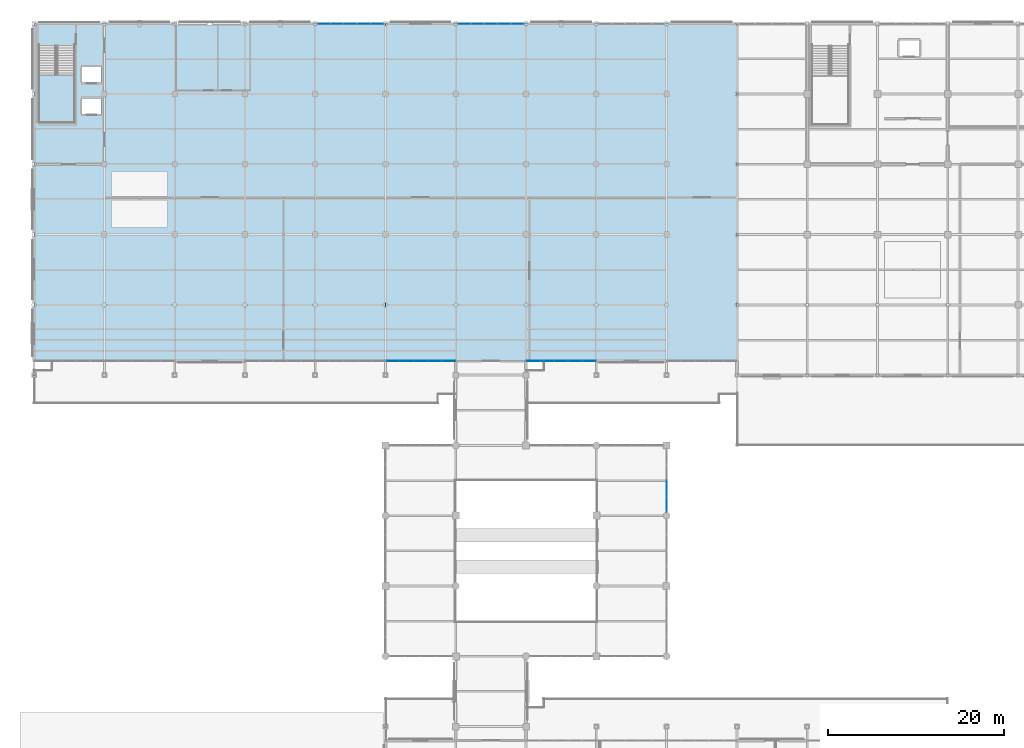
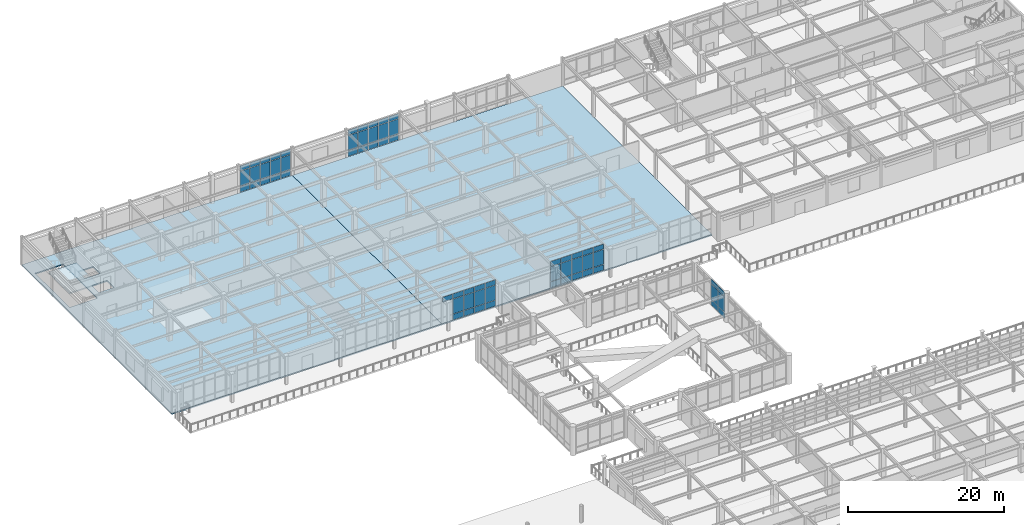
# One storey, part 78 of 111: 64 plates, 3 slabs, 6 elements without a shape of their own.
"""IFC4 building model written with IfcOpenShell, lengths in metres."""

from ifc_helpers import new_model, si_unit, direction, frame, origin, origin_2d, place, context, subcontext, project, spatial, polyline, rectangle, outline, extrude, material, layer, layer_set, type_object, element, aggregate, save


model = new_model("IFC4")

# Units and contexts
model_context = context("Model", 3, precision=1e-05, world=origin(), true_north=direction((0.0, 1.0)))
body_context = subcontext(model_context, "Body", "Model", "MODEL_VIEW")
ifc_project = project(units=[si_unit("LENGTHUNIT", "METRE"), si_unit("AREAUNIT", "SQUARE_METRE"), si_unit("VOLUMEUNIT", "CUBIC_METRE"), si_unit("PLANEANGLEUNIT", "RADIAN"), si_unit("MASSUNIT", "GRAM", prefix="KILO")], contexts=[model_context])

# Site, building, storey
site_placement = place(None, origin())
site = spatial("IfcSite", under=ifc_project, at=site_placement, CompositionType="ELEMENT")
building_placement = place(site_placement, origin())
building = spatial("IfcBuilding", under=site, at=building_placement, Name="Solmirada Galleria", CompositionType="ELEMENT")
storey_placement = place(building_placement, frame((0.0, 0.0, 10.39990234375)))
storey = spatial("IfcBuildingStorey", under=building, at=storey_placement, Name="L02", CompositionType="ELEMENT", Elevation=10.39990234375)

# Curtain wall, plates
ifc_material_1 = material(Name="Impact-resistant low-E double glazing", Category="glass")
curtain_wall_type_1 = type_object("IfcCurtainWallType", Name="CW-FZ3-L02-B4-L072", PredefinedType="NOTDEFINED", material=ifc_material_1)
curtain_wall_1_placement = place(storey_placement, origin())
curtain_wall_1 = element("IfcCurtainWall", 1, at=curtain_wall_1_placement, inside=storey, type_object=curtain_wall_type_1, Name="Terrace and arcade storefront CW-L02-106", PredefinedType="NOTDEFINED")
ifc_layer_1 = layer(ifc_material_1, 0.028076171875)
ifc_layer_set_1 = layer_set([ifc_layer_1], Name="Impact-resistant low-E double glazing")
plate_type_1 = type_object("IfcPlateType", Name="CW-PNL-CW21-T28", PredefinedType="CURTAIN_PANEL", material=ifc_layer_set_1)
plate_1_placement = place(storey_placement, frame((112.0, 67.1005859375, 0.06494140625), z_axis=(0.0, 0.0, 1.0), x_axis=(0.0, -1.0, 0.0)))
plate_1 = element("IfcPlate", 2, at=plate_1_placement, type_object=plate_type_1, Name="CW21 panel 3.1", PredefinedType="CURTAIN_PANEL", context=body_context, shape_type="SweptSolid", body=[
    extrude(rectangle(XDim=1.73388671875, YDim=0.028076171875, at=origin_2d()), origin(), (0.0, 0.0, 1.0), 0.822509765625),
])
plate_2_placement = place(storey_placement, frame((112.0, 67.1005859375, 0.95263671875), z_axis=(0.0, 0.0, 1.0), x_axis=(0.0, -1.0, 0.0)))
plate_2 = element("IfcPlate", 3, at=plate_2_placement, type_object=plate_type_1, Name="CW21 panel 3.2", PredefinedType="CURTAIN_PANEL", context=body_context, shape_type="SweptSolid", body=[
    extrude(rectangle(XDim=1.73388671875, YDim=0.028076171875, at=origin_2d()), origin(), (0.0, 0.0, 1.0), 2.4150390625),
])
plate_3_placement = place(storey_placement, frame((112.0, 67.1005859375, 3.4326171875), z_axis=(0.0, 0.0, 1.0), x_axis=(0.0, -1.0, 0.0)))
plate_3 = element("IfcPlate", 4, at=plate_3_placement, type_object=plate_type_1, Name="CW21 panel 3.3", PredefinedType="CURTAIN_PANEL", context=body_context, shape_type="SweptSolid", body=[
    extrude(rectangle(XDim=1.73388671875, YDim=0.028076171875, at=origin_2d()), origin(), (0.0, 0.0, 1.0), 0.722412109375),
])
plate_4_placement = place(storey_placement, frame((112.0, 65.31787109375, 0.06494140625), z_axis=(0.0, 0.0, 1.0), x_axis=(0.0, -1.0, 0.0)))
plate_4 = element("IfcPlate", 5, at=plate_4_placement, type_object=plate_type_1, Name="CW21 panel 4.1", PredefinedType="CURTAIN_PANEL", context=body_context, shape_type="SweptSolid", body=[
    extrude(rectangle(XDim=1.701416015625, YDim=0.028076171875, at=origin_2d()), origin(), (0.0, 0.0, 1.0), 0.822509765625),
])
plate_5_placement = place(storey_placement, frame((112.0, 65.31787109375, 0.95263671875), z_axis=(0.0, 0.0, 1.0), x_axis=(0.0, -1.0, 0.0)))
plate_5 = element("IfcPlate", 6, at=plate_5_placement, type_object=plate_type_1, Name="CW21 panel 4.2", PredefinedType="CURTAIN_PANEL", context=body_context, shape_type="SweptSolid", body=[
    extrude(rectangle(XDim=1.701416015625, YDim=0.028076171875, at=origin_2d()), origin(), (0.0, 0.0, 1.0), 2.4150390625),
])
plate_6_placement = place(storey_placement, frame((112.0, 65.31787109375, 3.4326171875), z_axis=(0.0, 0.0, 1.0), x_axis=(0.0, -1.0, 0.0)))
plate_6 = element("IfcPlate", 7, at=plate_6_placement, type_object=plate_type_1, Name="CW21 panel 4.3", PredefinedType="CURTAIN_PANEL", context=body_context, shape_type="SweptSolid", body=[
    extrude(rectangle(XDim=1.701416015625, YDim=0.028076171875, at=origin_2d()), origin(), (0.0, 0.0, 1.0), 0.722412109375),
])
aggregate(curtain_wall_1, [plate_1, plate_2, plate_3, plate_4, plate_5, plate_6])

curtain_wall_type_2 = type_object("IfcCurtainWallType", Name="CW-FZ4-L02-B5-L080", PredefinedType="NOTDEFINED", material=ifc_material_1)
curtain_wall_2_placement = place(storey_placement, origin())
curtain_wall_2 = element("IfcCurtainWall", 8, at=curtain_wall_2_placement, inside=storey, type_object=curtain_wall_type_2, Name="Terrace and arcade storefront CW-L02-088", PredefinedType="NOTDEFINED")
ifc_material_2 = material(Name="Ceramic-fritted spandrel glass", Category="glass")
ifc_layer_2 = layer(ifc_material_2, 0.035888671875)
ifc_layer_set_2 = layer_set([ifc_layer_2], Name="Ceramic-fritted spandrel glass")
plate_type_2 = type_object("IfcPlateType", Name="CW-PNL-CW22-T36", PredefinedType="CURTAIN_PANEL", material=ifc_layer_set_2)
plate_7_placement = place(storey_placement, frame((87.183837890625, 81.60009765625, 0.06494140625), z_axis=(0.0, 0.0, 1.0), x_axis=(-1.0, 0.0, 0.0)))
plate_7 = element("IfcPlate", 9, at=plate_7_placement, type_object=plate_type_2, Name="CW22 panel 1.1", PredefinedType="CURTAIN_PANEL", context=body_context, shape_type="SweptSolid", body=[
    extrude(rectangle(XDim=1.50244140625, YDim=0.035888671875, at=origin_2d()), origin(), (0.0, 0.0, 1.0), 0.882568359375),
])
plate_8_placement = place(storey_placement, frame((87.183837890625, 81.60009765625, 1.0126953125), z_axis=(0.0, 0.0, 1.0), x_axis=(-1.0, 0.0, 0.0)))
plate_8 = element("IfcPlate", 10, at=plate_8_placement, type_object=plate_type_2, Name="CW22 panel 1.2", PredefinedType="CURTAIN_PANEL", context=body_context, shape_type="SweptSolid", body=[
    extrude(rectangle(XDim=1.50244140625, YDim=0.035888671875, at=origin_2d()), origin(), (0.0, 0.0, 1.0), 2.304931640625),
])
plate_9_placement = place(storey_placement, frame((87.183837890625, 81.60009765625, 3.382568359375), z_axis=(0.0, 0.0, 1.0), x_axis=(-1.0, 0.0, 0.0)))
plate_9 = element("IfcPlate", 11, at=plate_9_placement, type_object=plate_type_2, Name="CW22 panel 1.3", PredefinedType="CURTAIN_PANEL", context=body_context, shape_type="SweptSolid", body=[
    extrude(rectangle(XDim=1.50244140625, YDim=0.035888671875, at=origin_2d()), origin(), (0.0, 0.0, 1.0), 0.7724609375),
])
plate_10_placement = place(storey_placement, frame((85.60009765625, 81.60009765625, 0.06494140625), z_axis=(0.0, 0.0, 1.0), x_axis=(-1.0, 0.0, 0.0)))
plate_10 = element("IfcPlate", 12, at=plate_10_placement, type_object=plate_type_2, Name="CW22 panel 2.1", PredefinedType="CURTAIN_PANEL", context=body_context, shape_type="SweptSolid", body=[
    extrude(rectangle(XDim=1.534912109375, YDim=0.035888671875, at=origin_2d()), origin(), (0.0, 0.0, 1.0), 0.882568359375),
])
plate_11_placement = place(storey_placement, frame((85.60009765625, 81.60009765625, 1.0126953125), z_axis=(0.0, 0.0, 1.0), x_axis=(-1.0, 0.0, 0.0)))
plate_11 = element("IfcPlate", 13, at=plate_11_placement, type_object=plate_type_2, Name="CW22 panel 2.2", PredefinedType="CURTAIN_PANEL", context=body_context, shape_type="SweptSolid", body=[
    extrude(rectangle(XDim=1.534912109375, YDim=0.035888671875, at=origin_2d()), origin(), (0.0, 0.0, 1.0), 2.304931640625),
])
plate_12_placement = place(storey_placement, frame((85.60009765625, 81.60009765625, 3.382568359375), z_axis=(0.0, 0.0, 1.0), x_axis=(-1.0, 0.0, 0.0)))
plate_12 = element("IfcPlate", 14, at=plate_12_placement, type_object=plate_type_2, Name="CW22 panel 2.3", PredefinedType="CURTAIN_PANEL", context=body_context, shape_type="SweptSolid", body=[
    extrude(rectangle(XDim=1.534912109375, YDim=0.035888671875, at=origin_2d()), origin(), (0.0, 0.0, 1.0), 0.7724609375),
])
plate_13_placement = place(storey_placement, frame((84.0, 81.60009765625, 0.06494140625), z_axis=(0.0, 0.0, 1.0), x_axis=(-1.0, 0.0, 0.0)))
plate_13 = element("IfcPlate", 15, at=plate_13_placement, type_object=plate_type_2, Name="CW22 panel 3.1", PredefinedType="CURTAIN_PANEL", context=body_context, shape_type="SweptSolid", body=[
    extrude(rectangle(XDim=1.534912109375, YDim=0.035888671875, at=origin_2d()), origin(), (0.0, 0.0, 1.0), 0.882568359375),
])
plate_14_placement = place(storey_placement, frame((84.0, 81.60009765625, 1.0126953125), z_axis=(0.0, 0.0, 1.0), x_axis=(-1.0, 0.0, 0.0)))
plate_14 = element("IfcPlate", 16, at=plate_14_placement, type_object=plate_type_2, Name="CW22 panel 3.2", PredefinedType="CURTAIN_PANEL", context=body_context, shape_type="SweptSolid", body=[
    extrude(rectangle(XDim=1.534912109375, YDim=0.035888671875, at=origin_2d()), origin(), (0.0, 0.0, 1.0), 2.304931640625),
])
plate_15_placement = place(storey_placement, frame((84.0, 81.60009765625, 3.382568359375), z_axis=(0.0, 0.0, 1.0), x_axis=(-1.0, 0.0, 0.0)))
plate_15 = element("IfcPlate", 17, at=plate_15_placement, type_object=plate_type_2, Name="CW22 panel 3.3", PredefinedType="CURTAIN_PANEL", context=body_context, shape_type="SweptSolid", body=[
    extrude(rectangle(XDim=1.534912109375, YDim=0.035888671875, at=origin_2d()), origin(), (0.0, 0.0, 1.0), 0.7724609375),
])
plate_16_placement = place(storey_placement, frame((82.39990234375, 81.60009765625, 0.06494140625), z_axis=(0.0, 0.0, 1.0), x_axis=(-1.0, 0.0, 0.0)))
plate_16 = element("IfcPlate", 18, at=plate_16_placement, type_object=plate_type_2, Name="CW22 panel 4.1", PredefinedType="CURTAIN_PANEL", context=body_context, shape_type="SweptSolid", body=[
    extrude(rectangle(XDim=1.534912109375, YDim=0.035888671875, at=origin_2d()), origin(), (0.0, 0.0, 1.0), 0.882568359375),
])
plate_17_placement = place(storey_placement, frame((82.39990234375, 81.60009765625, 1.0126953125), z_axis=(0.0, 0.0, 1.0), x_axis=(-1.0, 0.0, 0.0)))
plate_17 = element("IfcPlate", 19, at=plate_17_placement, type_object=plate_type_2, Name="CW22 panel 4.2", PredefinedType="CURTAIN_PANEL", context=body_context, shape_type="SweptSolid", body=[
    extrude(rectangle(XDim=1.534912109375, YDim=0.035888671875, at=origin_2d()), origin(), (0.0, 0.0, 1.0), 2.304931640625),
])
plate_18_placement = place(storey_placement, frame((82.39990234375, 81.60009765625, 3.382568359375), z_axis=(0.0, 0.0, 1.0), x_axis=(-1.0, 0.0, 0.0)))
plate_18 = element("IfcPlate", 20, at=plate_18_placement, type_object=plate_type_2, Name="CW22 panel 4.3", PredefinedType="CURTAIN_PANEL", context=body_context, shape_type="SweptSolid", body=[
    extrude(rectangle(XDim=1.534912109375, YDim=0.035888671875, at=origin_2d()), origin(), (0.0, 0.0, 1.0), 0.7724609375),
])
plate_19_placement = place(storey_placement, frame((80.816162109375, 81.60009765625, 3.382568359375), z_axis=(0.0, 0.0, 1.0), x_axis=(-1.0, 0.0, 0.0)))
plate_19 = element("IfcPlate", 21, at=plate_19_placement, type_object=plate_type_2, Name="CW22 panel 5.3", PredefinedType="CURTAIN_PANEL", context=body_context, shape_type="SweptSolid", body=[
    extrude(rectangle(XDim=1.50244140625, YDim=0.035888671875, at=origin_2d()), origin(), (0.0, 0.0, 1.0), 0.7724609375),
])
aggregate(curtain_wall_2, [plate_7, plate_8, plate_9, plate_10, plate_11, plate_12, plate_13, plate_14, plate_15, plate_16, plate_17, plate_18, plate_19])

curtain_wall_3_placement = place(storey_placement, origin())
curtain_wall_3 = element("IfcCurtainWall", 22, at=curtain_wall_3_placement, inside=storey, type_object=curtain_wall_type_2, Name="Terrace and arcade storefront CW-L02-103", PredefinedType="NOTDEFINED")
plate_20_placement = place(storey_placement, frame((103.183837890625, 81.60009765625, 0.06494140625), z_axis=(0.0, 0.0, 1.0), x_axis=(-1.0, 0.0, 0.0)))
plate_20 = element("IfcPlate", 23, at=plate_20_placement, type_object=plate_type_2, Name="CW22 panel 1.1", PredefinedType="CURTAIN_PANEL", context=body_context, shape_type="SweptSolid", body=[
    extrude(rectangle(XDim=1.50244140625, YDim=0.035888671875, at=origin_2d()), origin(), (0.0, 0.0, 1.0), 0.882568359375),
])
plate_21_placement = place(storey_placement, frame((103.183837890625, 81.60009765625, 1.0126953125), z_axis=(0.0, 0.0, 1.0), x_axis=(-1.0, 0.0, 0.0)))
plate_21 = element("IfcPlate", 24, at=plate_21_placement, type_object=plate_type_2, Name="CW22 panel 1.2", PredefinedType="CURTAIN_PANEL", context=body_context, shape_type="SweptSolid", body=[
    extrude(rectangle(XDim=1.50244140625, YDim=0.035888671875, at=origin_2d()), origin(), (0.0, 0.0, 1.0), 2.304931640625),
])
plate_22_placement = place(storey_placement, frame((103.183837890625, 81.60009765625, 3.382568359375), z_axis=(0.0, 0.0, 1.0), x_axis=(-1.0, 0.0, 0.0)))
plate_22 = element("IfcPlate", 25, at=plate_22_placement, type_object=plate_type_2, Name="CW22 panel 1.3", PredefinedType="CURTAIN_PANEL", context=body_context, shape_type="SweptSolid", body=[
    extrude(rectangle(XDim=1.50244140625, YDim=0.035888671875, at=origin_2d()), origin(), (0.0, 0.0, 1.0), 0.7724609375),
])
plate_23_placement = place(storey_placement, frame((101.60009765625, 81.60009765625, 0.06494140625), z_axis=(0.0, 0.0, 1.0), x_axis=(-1.0, 0.0, 0.0)))
plate_23 = element("IfcPlate", 26, at=plate_23_placement, type_object=plate_type_2, Name="CW22 panel 2.1", PredefinedType="CURTAIN_PANEL", context=body_context, shape_type="SweptSolid", body=[
    extrude(rectangle(XDim=1.534912109375, YDim=0.035888671875, at=origin_2d()), origin(), (0.0, 0.0, 1.0), 0.882568359375),
])
plate_24_placement = place(storey_placement, frame((101.60009765625, 81.60009765625, 1.0126953125), z_axis=(0.0, 0.0, 1.0), x_axis=(-1.0, 0.0, 0.0)))
plate_24 = element("IfcPlate", 27, at=plate_24_placement, type_object=plate_type_2, Name="CW22 panel 2.2", PredefinedType="CURTAIN_PANEL", context=body_context, shape_type="SweptSolid", body=[
    extrude(rectangle(XDim=1.534912109375, YDim=0.035888671875, at=origin_2d()), origin(), (0.0, 0.0, 1.0), 2.304931640625),
])
plate_25_placement = place(storey_placement, frame((101.60009765625, 81.60009765625, 3.382568359375), z_axis=(0.0, 0.0, 1.0), x_axis=(-1.0, 0.0, 0.0)))
plate_25 = element("IfcPlate", 28, at=plate_25_placement, type_object=plate_type_2, Name="CW22 panel 2.3", PredefinedType="CURTAIN_PANEL", context=body_context, shape_type="SweptSolid", body=[
    extrude(rectangle(XDim=1.534912109375, YDim=0.035888671875, at=origin_2d()), origin(), (0.0, 0.0, 1.0), 0.7724609375),
])
plate_26_placement = place(storey_placement, frame((100.0, 81.60009765625, 0.06494140625), z_axis=(0.0, 0.0, 1.0), x_axis=(-1.0, 0.0, 0.0)))
plate_26 = element("IfcPlate", 29, at=plate_26_placement, type_object=plate_type_2, Name="CW22 panel 3.1", PredefinedType="CURTAIN_PANEL", context=body_context, shape_type="SweptSolid", body=[
    extrude(rectangle(XDim=1.534912109375, YDim=0.035888671875, at=origin_2d()), origin(), (0.0, 0.0, 1.0), 0.882568359375),
])
plate_27_placement = place(storey_placement, frame((100.0, 81.60009765625, 1.0126953125), z_axis=(0.0, 0.0, 1.0), x_axis=(-1.0, 0.0, 0.0)))
plate_27 = element("IfcPlate", 30, at=plate_27_placement, type_object=plate_type_2, Name="CW22 panel 3.2", PredefinedType="CURTAIN_PANEL", context=body_context, shape_type="SweptSolid", body=[
    extrude(rectangle(XDim=1.534912109375, YDim=0.035888671875, at=origin_2d()), origin(), (0.0, 0.0, 1.0), 2.304931640625),
])
plate_28_placement = place(storey_placement, frame((100.0, 81.60009765625, 3.382568359375), z_axis=(0.0, 0.0, 1.0), x_axis=(-1.0, 0.0, 0.0)))
plate_28 = element("IfcPlate", 31, at=plate_28_placement, type_object=plate_type_2, Name="CW22 panel 3.3", PredefinedType="CURTAIN_PANEL", context=body_context, shape_type="SweptSolid", body=[
    extrude(rectangle(XDim=1.534912109375, YDim=0.035888671875, at=origin_2d()), origin(), (0.0, 0.0, 1.0), 0.7724609375),
])
plate_29_placement = place(storey_placement, frame((98.39990234375, 81.60009765625, 0.06494140625), z_axis=(0.0, 0.0, 1.0), x_axis=(-1.0, 0.0, 0.0)))
plate_29 = element("IfcPlate", 32, at=plate_29_placement, type_object=plate_type_2, Name="CW22 panel 4.1", PredefinedType="CURTAIN_PANEL", context=body_context, shape_type="SweptSolid", body=[
    extrude(rectangle(XDim=1.534912109375, YDim=0.035888671875, at=origin_2d()), origin(), (0.0, 0.0, 1.0), 0.882568359375),
])
plate_30_placement = place(storey_placement, frame((98.39990234375, 81.60009765625, 1.0126953125), z_axis=(0.0, 0.0, 1.0), x_axis=(-1.0, 0.0, 0.0)))
plate_30 = element("IfcPlate", 33, at=plate_30_placement, type_object=plate_type_2, Name="CW22 panel 4.2", PredefinedType="CURTAIN_PANEL", context=body_context, shape_type="SweptSolid", body=[
    extrude(rectangle(XDim=1.534912109375, YDim=0.035888671875, at=origin_2d()), origin(), (0.0, 0.0, 1.0), 2.304931640625),
])
plate_31_placement = place(storey_placement, frame((98.39990234375, 81.60009765625, 3.382568359375), z_axis=(0.0, 0.0, 1.0), x_axis=(-1.0, 0.0, 0.0)))
plate_31 = element("IfcPlate", 34, at=plate_31_placement, type_object=plate_type_2, Name="CW22 panel 4.3", PredefinedType="CURTAIN_PANEL", context=body_context, shape_type="SweptSolid", body=[
    extrude(rectangle(XDim=1.534912109375, YDim=0.035888671875, at=origin_2d()), origin(), (0.0, 0.0, 1.0), 0.7724609375),
])
plate_32_placement = place(storey_placement, frame((96.816162109375, 81.60009765625, 0.06494140625), z_axis=(0.0, 0.0, 1.0), x_axis=(-1.0, 0.0, 0.0)))
plate_32 = element("IfcPlate", 35, at=plate_32_placement, type_object=plate_type_2, Name="CW22 panel 5.1", PredefinedType="CURTAIN_PANEL", context=body_context, shape_type="SweptSolid", body=[
    extrude(rectangle(XDim=1.50244140625, YDim=0.035888671875, at=origin_2d()), origin(), (0.0, 0.0, 1.0), 0.882568359375),
])
plate_33_placement = place(storey_placement, frame((96.816162109375, 81.60009765625, 1.0126953125), z_axis=(0.0, 0.0, 1.0), x_axis=(-1.0, 0.0, 0.0)))
plate_33 = element("IfcPlate", 36, at=plate_33_placement, type_object=plate_type_2, Name="CW22 panel 5.2", PredefinedType="CURTAIN_PANEL", context=body_context, shape_type="SweptSolid", body=[
    extrude(rectangle(XDim=1.50244140625, YDim=0.035888671875, at=origin_2d()), origin(), (0.0, 0.0, 1.0), 2.304931640625),
])
plate_34_placement = place(storey_placement, frame((96.816162109375, 81.60009765625, 3.382568359375), z_axis=(0.0, 0.0, 1.0), x_axis=(-1.0, 0.0, 0.0)))
plate_34 = element("IfcPlate", 37, at=plate_34_placement, type_object=plate_type_2, Name="CW22 panel 5.3", PredefinedType="CURTAIN_PANEL", context=body_context, shape_type="SweptSolid", body=[
    extrude(rectangle(XDim=1.50244140625, YDim=0.035888671875, at=origin_2d()), origin(), (0.0, 0.0, 1.0), 0.7724609375),
])
aggregate(curtain_wall_3, [plate_20, plate_21, plate_22, plate_23, plate_24, plate_25, plate_26, plate_27, plate_28, plate_29, plate_30, plate_31, plate_32, plate_33, plate_34])

curtain_wall_type_3 = type_object("IfcCurtainWallType", Name="CW-FZ4-L02-B5-L076", PredefinedType="NOTDEFINED", material=ifc_material_1)
curtain_wall_4_placement = place(storey_placement, origin())
curtain_wall_4 = element("IfcCurtainWall", 38, at=curtain_wall_4_placement, inside=storey, type_object=curtain_wall_type_3, Name="Terrace and arcade storefront CW-L02-093", PredefinedType="NOTDEFINED")
ifc_layer_3 = layer(ifc_material_2, 0.0419921875)
ifc_layer_set_3 = layer_set([ifc_layer_3], Name="Ceramic-fritted spandrel glass")
plate_type_3 = type_object("IfcPlateType", Name="CW-PNL-CW23-T42", PredefinedType="CURTAIN_PANEL", material=ifc_layer_set_3)
plate_35_placement = place(storey_placement, frame((72.980224609375, 120.0, 0.06494140625), z_axis=(0.0, 0.0, 1.0), x_axis=(1.0, 0.0, 0.0)))
plate_35 = element("IfcPlate", 39, at=plate_35_placement, type_object=plate_type_3, Name="CW23 panel 1.1", PredefinedType="CURTAIN_PANEL", context=body_context, shape_type="SweptSolid", body=[
    extrude(rectangle(XDim=1.42041015625, YDim=0.0419921875, at=origin_2d()), origin(), (0.0, 0.0, 1.0), 0.882568359375),
])
plate_36_placement = place(storey_placement, frame((72.980224609375, 120.0, 1.0126953125), z_axis=(0.0, 0.0, 1.0), x_axis=(1.0, 0.0, 0.0)))
plate_36 = element("IfcPlate", 40, at=plate_36_placement, type_object=plate_type_3, Name="CW23 panel 1.2", PredefinedType="CURTAIN_PANEL", context=body_context, shape_type="SweptSolid", body=[
    extrude(rectangle(XDim=1.42041015625, YDim=0.0419921875, at=origin_2d()), origin(), (0.0, 0.0, 1.0), 2.304931640625),
])
plate_37_placement = place(storey_placement, frame((72.980224609375, 120.0, 3.382568359375), z_axis=(0.0, 0.0, 1.0), x_axis=(1.0, 0.0, 0.0)))
plate_37 = element("IfcPlate", 41, at=plate_37_placement, type_object=plate_type_3, Name="CW23 panel 1.3", PredefinedType="CURTAIN_PANEL", context=body_context, shape_type="SweptSolid", body=[
    extrude(rectangle(XDim=1.42041015625, YDim=0.0419921875, at=origin_2d()), origin(), (0.0, 0.0, 1.0), 0.7724609375),
])
plate_38_placement = place(storey_placement, frame((74.48193359375, 120.0, 0.06494140625), z_axis=(0.0, 0.0, 1.0), x_axis=(1.0, 0.0, 0.0)))
plate_38 = element("IfcPlate", 42, at=plate_38_placement, type_object=plate_type_3, Name="CW23 panel 2.1", PredefinedType="CURTAIN_PANEL", context=body_context, shape_type="SweptSolid", body=[
    extrude(rectangle(XDim=1.452880859375, YDim=0.0419921875, at=origin_2d()), origin(), (0.0, 0.0, 1.0), 0.882568359375),
])
plate_39_placement = place(storey_placement, frame((74.48193359375, 120.0, 1.0126953125), z_axis=(0.0, 0.0, 1.0), x_axis=(1.0, 0.0, 0.0)))
plate_39 = element("IfcPlate", 43, at=plate_39_placement, type_object=plate_type_3, Name="CW23 panel 2.2", PredefinedType="CURTAIN_PANEL", context=body_context, shape_type="SweptSolid", body=[
    extrude(rectangle(XDim=1.452880859375, YDim=0.0419921875, at=origin_2d()), origin(), (0.0, 0.0, 1.0), 2.304931640625),
])
plate_40_placement = place(storey_placement, frame((74.48193359375, 120.0, 3.382568359375), z_axis=(0.0, 0.0, 1.0), x_axis=(1.0, 0.0, 0.0)))
plate_40 = element("IfcPlate", 44, at=plate_40_placement, type_object=plate_type_3, Name="CW23 panel 2.3", PredefinedType="CURTAIN_PANEL", context=body_context, shape_type="SweptSolid", body=[
    extrude(rectangle(XDim=1.452880859375, YDim=0.0419921875, at=origin_2d()), origin(), (0.0, 0.0, 1.0), 0.7724609375),
])
plate_41_placement = place(storey_placement, frame((76.0, 120.0, 0.06494140625), z_axis=(0.0, 0.0, 1.0), x_axis=(1.0, 0.0, 0.0)))
plate_41 = element("IfcPlate", 45, at=plate_41_placement, type_object=plate_type_3, Name="CW23 panel 3.1", PredefinedType="CURTAIN_PANEL", context=body_context, shape_type="SweptSolid", body=[
    extrude(rectangle(XDim=1.452880859375, YDim=0.0419921875, at=origin_2d()), origin(), (0.0, 0.0, 1.0), 0.882568359375),
])
plate_42_placement = place(storey_placement, frame((76.0, 120.0, 1.0126953125), z_axis=(0.0, 0.0, 1.0), x_axis=(1.0, 0.0, 0.0)))
plate_42 = element("IfcPlate", 46, at=plate_42_placement, type_object=plate_type_3, Name="CW23 panel 3.2", PredefinedType="CURTAIN_PANEL", context=body_context, shape_type="SweptSolid", body=[
    extrude(rectangle(XDim=1.452880859375, YDim=0.0419921875, at=origin_2d()), origin(), (0.0, 0.0, 1.0), 2.304931640625),
])
plate_43_placement = place(storey_placement, frame((76.0, 120.0, 3.382568359375), z_axis=(0.0, 0.0, 1.0), x_axis=(1.0, 0.0, 0.0)))
plate_43 = element("IfcPlate", 47, at=plate_43_placement, type_object=plate_type_3, Name="CW23 panel 3.3", PredefinedType="CURTAIN_PANEL", context=body_context, shape_type="SweptSolid", body=[
    extrude(rectangle(XDim=1.452880859375, YDim=0.0419921875, at=origin_2d()), origin(), (0.0, 0.0, 1.0), 0.7724609375),
])
plate_44_placement = place(storey_placement, frame((77.51806640625, 120.0, 0.06494140625), z_axis=(0.0, 0.0, 1.0), x_axis=(1.0, 0.0, 0.0)))
plate_44 = element("IfcPlate", 48, at=plate_44_placement, type_object=plate_type_3, Name="CW23 panel 4.1", PredefinedType="CURTAIN_PANEL", context=body_context, shape_type="SweptSolid", body=[
    extrude(rectangle(XDim=1.452880859375, YDim=0.0419921875, at=origin_2d()), origin(), (0.0, 0.0, 1.0), 0.882568359375),
])
plate_45_placement = place(storey_placement, frame((77.51806640625, 120.0, 1.0126953125), z_axis=(0.0, 0.0, 1.0), x_axis=(1.0, 0.0, 0.0)))
plate_45 = element("IfcPlate", 49, at=plate_45_placement, type_object=plate_type_3, Name="CW23 panel 4.2", PredefinedType="CURTAIN_PANEL", context=body_context, shape_type="SweptSolid", body=[
    extrude(rectangle(XDim=1.452880859375, YDim=0.0419921875, at=origin_2d()), origin(), (0.0, 0.0, 1.0), 2.304931640625),
])
plate_46_placement = place(storey_placement, frame((77.51806640625, 120.0, 3.382568359375), z_axis=(0.0, 0.0, 1.0), x_axis=(1.0, 0.0, 0.0)))
plate_46 = element("IfcPlate", 50, at=plate_46_placement, type_object=plate_type_3, Name="CW23 panel 4.3", PredefinedType="CURTAIN_PANEL", context=body_context, shape_type="SweptSolid", body=[
    extrude(rectangle(XDim=1.452880859375, YDim=0.0419921875, at=origin_2d()), origin(), (0.0, 0.0, 1.0), 0.7724609375),
])
plate_47_placement = place(storey_placement, frame((79.019775390625, 120.0, 0.06494140625), z_axis=(0.0, 0.0, 1.0), x_axis=(1.0, 0.0, 0.0)))
plate_47 = element("IfcPlate", 51, at=plate_47_placement, type_object=plate_type_3, Name="CW23 panel 5.1", PredefinedType="CURTAIN_PANEL", context=body_context, shape_type="SweptSolid", body=[
    extrude(rectangle(XDim=1.42041015625, YDim=0.0419921875, at=origin_2d()), origin(), (0.0, 0.0, 1.0), 0.882568359375),
])
plate_48_placement = place(storey_placement, frame((79.019775390625, 120.0, 1.0126953125), z_axis=(0.0, 0.0, 1.0), x_axis=(1.0, 0.0, 0.0)))
plate_48 = element("IfcPlate", 52, at=plate_48_placement, type_object=plate_type_3, Name="CW23 panel 5.2", PredefinedType="CURTAIN_PANEL", context=body_context, shape_type="SweptSolid", body=[
    extrude(rectangle(XDim=1.42041015625, YDim=0.0419921875, at=origin_2d()), origin(), (0.0, 0.0, 1.0), 2.304931640625),
])
plate_49_placement = place(storey_placement, frame((79.019775390625, 120.0, 3.382568359375), z_axis=(0.0, 0.0, 1.0), x_axis=(1.0, 0.0, 0.0)))
plate_49 = element("IfcPlate", 53, at=plate_49_placement, type_object=plate_type_3, Name="CW23 panel 5.3", PredefinedType="CURTAIN_PANEL", context=body_context, shape_type="SweptSolid", body=[
    extrude(rectangle(XDim=1.42041015625, YDim=0.0419921875, at=origin_2d()), origin(), (0.0, 0.0, 1.0), 0.7724609375),
])
aggregate(curtain_wall_4, [plate_35, plate_36, plate_37, plate_38, plate_39, plate_40, plate_41, plate_42, plate_43, plate_44, plate_45, plate_46, plate_47, plate_48, plate_49])

curtain_wall_5_placement = place(storey_placement, origin())
curtain_wall_5 = element("IfcCurtainWall", 54, at=curtain_wall_5_placement, inside=storey, type_object=curtain_wall_type_3, Name="Terrace and arcade storefront CW-L02-094", PredefinedType="NOTDEFINED")
plate_50_placement = place(storey_placement, frame((88.980224609375, 120.0, 0.06494140625), z_axis=(0.0, 0.0, 1.0), x_axis=(1.0, 0.0, 0.0)))
plate_50 = element("IfcPlate", 55, at=plate_50_placement, type_object=plate_type_3, Name="CW23 panel 1.1", PredefinedType="CURTAIN_PANEL", context=body_context, shape_type="SweptSolid", body=[
    extrude(rectangle(XDim=1.42041015625, YDim=0.0419921875, at=origin_2d()), origin(), (0.0, 0.0, 1.0), 0.882568359375),
])
plate_51_placement = place(storey_placement, frame((88.980224609375, 120.0, 1.0126953125), z_axis=(0.0, 0.0, 1.0), x_axis=(1.0, 0.0, 0.0)))
plate_51 = element("IfcPlate", 56, at=plate_51_placement, type_object=plate_type_3, Name="CW23 panel 1.2", PredefinedType="CURTAIN_PANEL", context=body_context, shape_type="SweptSolid", body=[
    extrude(rectangle(XDim=1.42041015625, YDim=0.0419921875, at=origin_2d()), origin(), (0.0, 0.0, 1.0), 2.304931640625),
])
plate_52_placement = place(storey_placement, frame((88.980224609375, 120.0, 3.382568359375), z_axis=(0.0, 0.0, 1.0), x_axis=(1.0, 0.0, 0.0)))
plate_52 = element("IfcPlate", 57, at=plate_52_placement, type_object=plate_type_3, Name="CW23 panel 1.3", PredefinedType="CURTAIN_PANEL", context=body_context, shape_type="SweptSolid", body=[
    extrude(rectangle(XDim=1.42041015625, YDim=0.0419921875, at=origin_2d()), origin(), (0.0, 0.0, 1.0), 0.7724609375),
])
plate_53_placement = place(storey_placement, frame((90.48193359375, 120.0, 0.06494140625), z_axis=(0.0, 0.0, 1.0), x_axis=(1.0, 0.0, 0.0)))
plate_53 = element("IfcPlate", 58, at=plate_53_placement, type_object=plate_type_3, Name="CW23 panel 2.1", PredefinedType="CURTAIN_PANEL", context=body_context, shape_type="SweptSolid", body=[
    extrude(rectangle(XDim=1.452880859375, YDim=0.0419921875, at=origin_2d()), origin(), (0.0, 0.0, 1.0), 0.882568359375),
])
plate_54_placement = place(storey_placement, frame((90.48193359375, 120.0, 1.0126953125), z_axis=(0.0, 0.0, 1.0), x_axis=(1.0, 0.0, 0.0)))
plate_54 = element("IfcPlate", 59, at=plate_54_placement, type_object=plate_type_3, Name="CW23 panel 2.2", PredefinedType="CURTAIN_PANEL", context=body_context, shape_type="SweptSolid", body=[
    extrude(rectangle(XDim=1.452880859375, YDim=0.0419921875, at=origin_2d()), origin(), (0.0, 0.0, 1.0), 2.304931640625),
])
plate_55_placement = place(storey_placement, frame((90.48193359375, 120.0, 3.382568359375), z_axis=(0.0, 0.0, 1.0), x_axis=(1.0, 0.0, 0.0)))
plate_55 = element("IfcPlate", 60, at=plate_55_placement, type_object=plate_type_3, Name="CW23 panel 2.3", PredefinedType="CURTAIN_PANEL", context=body_context, shape_type="SweptSolid", body=[
    extrude(rectangle(XDim=1.452880859375, YDim=0.0419921875, at=origin_2d()), origin(), (0.0, 0.0, 1.0), 0.7724609375),
])
plate_56_placement = place(storey_placement, frame((92.0, 120.0, 0.06494140625), z_axis=(0.0, 0.0, 1.0), x_axis=(1.0, 0.0, 0.0)))
plate_56 = element("IfcPlate", 61, at=plate_56_placement, type_object=plate_type_3, Name="CW23 panel 3.1", PredefinedType="CURTAIN_PANEL", context=body_context, shape_type="SweptSolid", body=[
    extrude(rectangle(XDim=1.452880859375, YDim=0.0419921875, at=origin_2d()), origin(), (0.0, 0.0, 1.0), 0.882568359375),
])
plate_57_placement = place(storey_placement, frame((92.0, 120.0, 1.0126953125), z_axis=(0.0, 0.0, 1.0), x_axis=(1.0, 0.0, 0.0)))
plate_57 = element("IfcPlate", 62, at=plate_57_placement, type_object=plate_type_3, Name="CW23 panel 3.2", PredefinedType="CURTAIN_PANEL", context=body_context, shape_type="SweptSolid", body=[
    extrude(rectangle(XDim=1.452880859375, YDim=0.0419921875, at=origin_2d()), origin(), (0.0, 0.0, 1.0), 2.304931640625),
])
plate_58_placement = place(storey_placement, frame((92.0, 120.0, 3.382568359375), z_axis=(0.0, 0.0, 1.0), x_axis=(1.0, 0.0, 0.0)))
plate_58 = element("IfcPlate", 63, at=plate_58_placement, type_object=plate_type_3, Name="CW23 panel 3.3", PredefinedType="CURTAIN_PANEL", context=body_context, shape_type="SweptSolid", body=[
    extrude(rectangle(XDim=1.452880859375, YDim=0.0419921875, at=origin_2d()), origin(), (0.0, 0.0, 1.0), 0.7724609375),
])
plate_59_placement = place(storey_placement, frame((93.51806640625, 120.0, 0.06494140625), z_axis=(0.0, 0.0, 1.0), x_axis=(1.0, 0.0, 0.0)))
plate_59 = element("IfcPlate", 64, at=plate_59_placement, type_object=plate_type_3, Name="CW23 panel 4.1", PredefinedType="CURTAIN_PANEL", context=body_context, shape_type="SweptSolid", body=[
    extrude(rectangle(XDim=1.452880859375, YDim=0.0419921875, at=origin_2d()), origin(), (0.0, 0.0, 1.0), 0.882568359375),
])
plate_60_placement = place(storey_placement, frame((93.51806640625, 120.0, 1.0126953125), z_axis=(0.0, 0.0, 1.0), x_axis=(1.0, 0.0, 0.0)))
plate_60 = element("IfcPlate", 65, at=plate_60_placement, type_object=plate_type_3, Name="CW23 panel 4.2", PredefinedType="CURTAIN_PANEL", context=body_context, shape_type="SweptSolid", body=[
    extrude(rectangle(XDim=1.452880859375, YDim=0.0419921875, at=origin_2d()), origin(), (0.0, 0.0, 1.0), 2.304931640625),
])
plate_61_placement = place(storey_placement, frame((93.51806640625, 120.0, 3.382568359375), z_axis=(0.0, 0.0, 1.0), x_axis=(1.0, 0.0, 0.0)))
plate_61 = element("IfcPlate", 66, at=plate_61_placement, type_object=plate_type_3, Name="CW23 panel 4.3", PredefinedType="CURTAIN_PANEL", context=body_context, shape_type="SweptSolid", body=[
    extrude(rectangle(XDim=1.452880859375, YDim=0.0419921875, at=origin_2d()), origin(), (0.0, 0.0, 1.0), 0.7724609375),
])
plate_62_placement = place(storey_placement, frame((95.019775390625, 120.0, 0.06494140625), z_axis=(0.0, 0.0, 1.0), x_axis=(1.0, 0.0, 0.0)))
plate_62 = element("IfcPlate", 67, at=plate_62_placement, type_object=plate_type_3, Name="CW23 panel 5.1", PredefinedType="CURTAIN_PANEL", context=body_context, shape_type="SweptSolid", body=[
    extrude(rectangle(XDim=1.42041015625, YDim=0.0419921875, at=origin_2d()), origin(), (0.0, 0.0, 1.0), 0.882568359375),
])
plate_63_placement = place(storey_placement, frame((95.019775390625, 120.0, 1.0126953125), z_axis=(0.0, 0.0, 1.0), x_axis=(1.0, 0.0, 0.0)))
plate_63 = element("IfcPlate", 68, at=plate_63_placement, type_object=plate_type_3, Name="CW23 panel 5.2", PredefinedType="CURTAIN_PANEL", context=body_context, shape_type="SweptSolid", body=[
    extrude(rectangle(XDim=1.42041015625, YDim=0.0419921875, at=origin_2d()), origin(), (0.0, 0.0, 1.0), 2.304931640625),
])
plate_64_placement = place(storey_placement, frame((95.019775390625, 120.0, 3.382568359375), z_axis=(0.0, 0.0, 1.0), x_axis=(1.0, 0.0, 0.0)))
plate_64 = element("IfcPlate", 69, at=plate_64_placement, type_object=plate_type_3, Name="CW23 panel 5.3", PredefinedType="CURTAIN_PANEL", context=body_context, shape_type="SweptSolid", body=[
    extrude(rectangle(XDim=1.42041015625, YDim=0.0419921875, at=origin_2d()), origin(), (0.0, 0.0, 1.0), 0.7724609375),
])
aggregate(curtain_wall_5, [plate_50, plate_51, plate_52, plate_53, plate_54, plate_55, plate_56, plate_57, plate_58, plate_59, plate_60, plate_61, plate_62, plate_63, plate_64])

# Slabs
ifc_material_3 = material(Name="Concrete C35/45", Category="concrete")
ifc_layer_4 = layer(ifc_material_3, 0.199951171875)
ifc_layer_set_4 = layer_set([ifc_layer_4], Name="Concrete C35/45")
slab_type_1 = type_object("IfcSlabType", Name="SLB-FLOOR-200", PredefinedType="FLOOR", material=ifc_layer_set_4)
slab_1_placement = place(storey_placement, frame((0.0, 0.0, -0.199951171875)))
element("IfcSlab", 70, at=slab_1_placement, inside=storey, type_object=slab_type_1, Name="Slab L02-NORTH-W", PredefinedType="FLOOR", context=body_context, shape_type="SweptSolid", body=[
    extrude(outline(polyline([(40.0, 81.60009765625), (80.0, 81.60009765625), (80.0, 120.0), (40.0, 120.0), (40.0, 81.60009765625)]), holes=[polyline([(40.5, 108.699951171875), (44.64990234375, 108.699951171875), (44.64990234375, 117.5), (40.5, 117.5), (40.5, 108.699951171875)]), polyline([(45.425048828125, 113.300048828125), (47.675048828125, 113.300048828125), (47.675048828125, 115.10009765625), (45.425048828125, 115.10009765625), (45.425048828125, 113.300048828125)]), polyline([(45.425048828125, 109.699951171875), (47.675048828125, 109.699951171875), (47.675048828125, 111.5), (45.425048828125, 111.5), (45.425048828125, 109.699951171875)])]), origin(), (0.0, 0.0, 1.0), 0.199951171875),
])
slab_2_placement = place(storey_placement, frame((0.0, 0.0, -0.199951171875)))
element("IfcSlab", 71, at=slab_2_placement, inside=storey, type_object=slab_type_1, Name="Slab L02-NORTH-E", PredefinedType="FLOOR", context=body_context, shape_type="SweptSolid", body=[
    extrude(outline(polyline([(80.0, 81.60009765625), (120.0, 81.60009765625), (120.0, 120.0), (80.0, 120.0), (80.0, 81.60009765625)])), origin(), (0.0, 0.0, 1.0), 0.199951171875),
])

# Stair, slab
stair_type = type_object("IfcStairType", Name="STR-DOG-200-H45", PredefinedType="HALF_TURN_STAIR", material=ifc_material_3)
stair_placement = place(storey_placement, origin())
stair = element("IfcStair", 72, at=stair_placement, inside=storey, type_object=stair_type, Name="L02 Northwest Sales Core Exit Stair ST1", PredefinedType="HALF_TURN_STAIR")
ifc_layer_5 = layer(ifc_material_3, 0.199951171875)
ifc_layer_set_5 = layer_set([ifc_layer_5], Name="Concrete C35/45")
slab_type_2 = type_object("IfcSlabType", Name="SLB-LAND-200", PredefinedType="LANDING", material=ifc_layer_set_5)
slab_3_placement = place(storey_placement, frame((0.0, 0.0, 2.050048828125)))
slab_3 = element("IfcSlab", 73, at=slab_3_placement, type_object=slab_type_2, Name="ST1 landing 1", PredefinedType="LANDING", context=body_context, shape_type="SweptSolid", body=[
    extrude(outline(polyline([(40.5, 114.139892578125), (40.5, 108.699951171875), (44.64990234375, 108.699951171875), (44.64990234375, 114.139892578125), (40.5, 114.139892578125)])), origin(), (0.0, 0.0, 1.0), 0.199951171875),
])
aggregate(stair, [slab_3])

save(model, "model.ifc")
